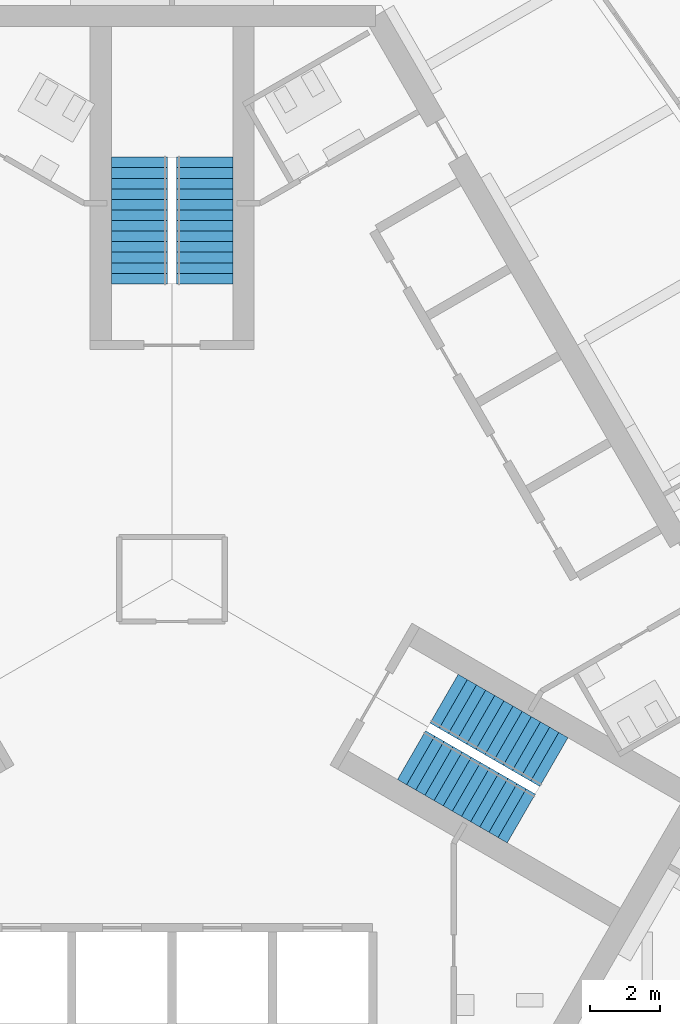
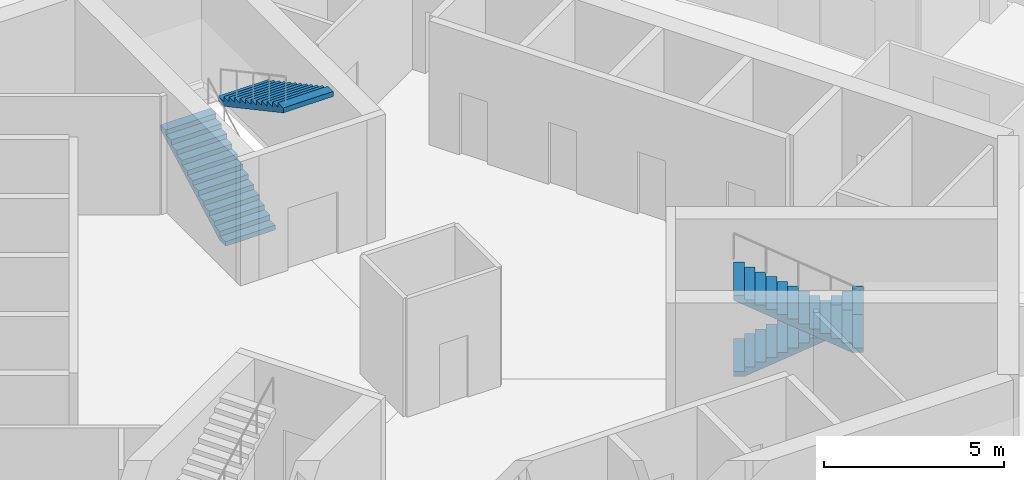
# One storey, part 11 of 16: 4 stair flights, 2 elements without a shape of their own.
"""IFC4 building model written with IfcOpenShell, lengths in metres."""

from ifc_helpers import new_model, si_unit, direction, frame, origin, place, context, subcontext, project, spatial, polyline, outline, extrude, material, type_object, element, aggregate, save


model = new_model("IFC4")

# Units and contexts
model_context = context("Model", 3, precision=1e-05, world=origin(), true_north=direction((0.0, 1.0)))
body_context = subcontext(model_context, "Body", "Model", "MODEL_VIEW")
ifc_project = project(units=[si_unit("LENGTHUNIT", "METRE"), si_unit("AREAUNIT", "SQUARE_METRE"), si_unit("VOLUMEUNIT", "CUBIC_METRE"), si_unit("PLANEANGLEUNIT", "RADIAN"), si_unit("MASSUNIT", "GRAM", prefix="KILO")], contexts=[model_context])

# Site, building, storey
site_placement = place(None, origin())
site = spatial("IfcSite", under=ifc_project, at=site_placement, CompositionType="ELEMENT")
building_placement = place(site_placement, origin())
building = spatial("IfcBuilding", under=site, at=building_placement, Name="Trefoil Bronze Tower", CompositionType="ELEMENT")
storey_placement = place(building_placement, frame((0.0, 0.0, 314.10009765625)))
storey = spatial("IfcBuildingStorey", under=building, at=storey_placement, Name="L72", CompositionType="ELEMENT", Elevation=314.10009765625)

# Stair, stair flights
ifc_material_1 = material(Name="Precast concrete B80", Category="concrete")
stair_type = type_object("IfcStairType", Name="Exit stair 26 risers", PredefinedType="HALF_TURN_STAIR", material=ifc_material_1)
stair_1_placement = place(storey_placement, origin())
stair_1 = element("IfcStair", 1, at=stair_1_placement, inside=storey, type_object=stair_type, Name="Stair ST1 L72", PredefinedType="HALF_TURN_STAIR")
ifc_material_2 = material(Name="Precast concrete B80", Category="concrete")
stair_flight_type = type_object("IfcStairFlightType", Name="Stair flight 1600", PredefinedType="STRAIGHT", material=ifc_material_2)
stair_flight_1_placement = place(storey_placement, frame((7.728515625, -3.39404296875, 0.0), z_axis=(0.0, 0.0, 1.0), x_axis=(0.866025403784, -0.5, 0.0)))
stair_flight_1 = element("IfcStairFlight", 2, at=stair_flight_1_placement, type_object=stair_flight_type, Name="ST1 flight 1", NumberOfRisers=13, NumberOfTreads=12, PredefinedType="STRAIGHT", RiserHeight=0.161538462, TreadLength=0.3, context=body_context, shape_type="SweptSolid", body=[
    extrude(outline(polyline([(0.0, 0.0), (0.0, 0.16162109375), (0.300048828125, 0.16162109375), (0.300048828125, 0.322998046875), (0.60009765625, 0.322998046875), (0.60009765625, 0.484619140625), (0.89990234375, 0.484619140625), (0.89990234375, 0.646240234375), (1.199951171875, 0.646240234375), (1.199951171875, 0.8076171875), (1.5, 0.8076171875), (1.5, 0.96923828125), (1.800048828125, 0.96923828125), (1.800048828125, 1.130859375), (2.10009765625, 1.130859375), (2.10009765625, 1.292236328125), (2.39990234375, 1.292236328125), (2.39990234375, 1.453857421875), (2.699951171875, 1.453857421875), (2.699951171875, 1.615478515625), (3.0, 1.615478515625), (3.0, 1.77685546875), (3.300048828125, 1.77685546875), (3.300048828125, 1.9384765625), (3.60009765625, 1.9384765625), (3.60009765625, 2.10009765625), (3.60009765625, 1.768310546875), (0.316162109375, 0.0), (0.0, 0.0)])), frame((0.0, 0.800048828125, 0.0), z_axis=(0.0, -1.0, 0.0), x_axis=(1.0, 0.0, 0.0)), (0.0, 0.0, 1.0), 1.60009765625),
])
stair_flight_2_placement = place(storey_placement, frame((9.921142578125, -6.796142578125, 2.099853515625), z_axis=(0.0, 0.0, 1.0), x_axis=(-0.866025403784, 0.5, 0.0)))
stair_flight_2 = element("IfcStairFlight", 3, at=stair_flight_2_placement, type_object=stair_flight_type, Name="ST1 flight 2", NumberOfRisers=13, NumberOfTreads=12, PredefinedType="STRAIGHT", RiserHeight=0.161538462, TreadLength=0.3, context=body_context, shape_type="SweptSolid", body=[
    extrude(outline(polyline([(0.0, 0.0), (0.0, 0.16162109375), (0.300048828125, 0.16162109375), (0.300048828125, 0.322998046875), (0.60009765625, 0.322998046875), (0.60009765625, 0.484619140625), (0.89990234375, 0.484619140625), (0.89990234375, 0.646240234375), (1.199951171875, 0.646240234375), (1.199951171875, 0.8076171875), (1.5, 0.8076171875), (1.5, 0.96923828125), (1.800048828125, 0.96923828125), (1.800048828125, 1.130859375), (2.10009765625, 1.130859375), (2.10009765625, 1.292236328125), (2.39990234375, 1.292236328125), (2.39990234375, 1.453857421875), (2.699951171875, 1.453857421875), (2.699951171875, 1.615478515625), (3.0, 1.615478515625), (3.0, 1.77685546875), (3.300048828125, 1.77685546875), (3.300048828125, 1.9384765625), (3.60009765625, 1.9384765625), (3.60009765625, 2.10009765625), (3.60009765625, 1.768310546875), (0.316162109375, 0.0), (0.0, 0.0)])), frame((0.0, 0.800048828125, 0.0), z_axis=(0.0, -1.0, 0.0), x_axis=(1.0, 0.0, 0.0)), (0.0, 0.0, 1.0), 1.60009765625),
])
aggregate(stair_1, [stair_flight_1, stair_flight_2])

stair_2_placement = place(storey_placement, origin())
stair_2 = element("IfcStair", 4, at=stair_2_placement, inside=storey, type_object=stair_type, Name="Stair ST2 L72", PredefinedType="HALF_TURN_STAIR")
stair_flight_3_placement = place(storey_placement, frame((-0.925048828125, 8.389892578125, 0.0), z_axis=(0.0, 0.0, 1.0), x_axis=(0.0, 1.0, 0.0)))
stair_flight_3 = element("IfcStairFlight", 5, at=stair_flight_3_placement, type_object=stair_flight_type, Name="ST2 flight 1", NumberOfRisers=13, NumberOfTreads=12, PredefinedType="STRAIGHT", RiserHeight=0.161538462, TreadLength=0.3, context=body_context, shape_type="SweptSolid", body=[
    extrude(outline(polyline([(0.0, 0.0), (0.0, 0.16162109375), (0.300048828125, 0.16162109375), (0.300048828125, 0.322998046875), (0.60009765625, 0.322998046875), (0.60009765625, 0.484619140625), (0.89990234375, 0.484619140625), (0.89990234375, 0.646240234375), (1.199951171875, 0.646240234375), (1.199951171875, 0.8076171875), (1.5, 0.8076171875), (1.5, 0.96923828125), (1.800048828125, 0.96923828125), (1.800048828125, 1.130859375), (2.10009765625, 1.130859375), (2.10009765625, 1.292236328125), (2.39990234375, 1.292236328125), (2.39990234375, 1.453857421875), (2.699951171875, 1.453857421875), (2.699951171875, 1.615478515625), (3.0, 1.615478515625), (3.0, 1.77685546875), (3.300048828125, 1.77685546875), (3.300048828125, 1.9384765625), (3.60009765625, 1.9384765625), (3.60009765625, 2.10009765625), (3.60009765625, 1.768310546875), (0.316162109375, 0.0), (0.0, 0.0)])), frame((0.0, 0.800048828125, 0.0), z_axis=(0.0, -1.0, 0.0), x_axis=(1.0, 0.0, 0.0)), (0.0, 0.0, 1.0), 1.60009765625),
])
stair_flight_4_placement = place(storey_placement, frame((0.925048828125, 11.989990234375, 2.099853515625), z_axis=(0.0, 0.0, 1.0), x_axis=(0.0, -1.0, 0.0)))
stair_flight_4 = element("IfcStairFlight", 6, at=stair_flight_4_placement, type_object=stair_flight_type, Name="ST2 flight 2", NumberOfRisers=13, NumberOfTreads=12, PredefinedType="STRAIGHT", RiserHeight=0.161538462, TreadLength=0.3, context=body_context, shape_type="SweptSolid", body=[
    extrude(outline(polyline([(0.0, 0.0), (0.0, 0.16162109375), (0.300048828125, 0.16162109375), (0.300048828125, 0.322998046875), (0.60009765625, 0.322998046875), (0.60009765625, 0.484619140625), (0.89990234375, 0.484619140625), (0.89990234375, 0.646240234375), (1.199951171875, 0.646240234375), (1.199951171875, 0.8076171875), (1.5, 0.8076171875), (1.5, 0.96923828125), (1.800048828125, 0.96923828125), (1.800048828125, 1.130859375), (2.10009765625, 1.130859375), (2.10009765625, 1.292236328125), (2.39990234375, 1.292236328125), (2.39990234375, 1.453857421875), (2.699951171875, 1.453857421875), (2.699951171875, 1.615478515625), (3.0, 1.615478515625), (3.0, 1.77685546875), (3.300048828125, 1.77685546875), (3.300048828125, 1.9384765625), (3.60009765625, 1.9384765625), (3.60009765625, 2.10009765625), (3.60009765625, 1.768310546875), (0.316162109375, 0.0), (0.0, 0.0)])), frame((0.0, 0.800048828125, 0.0), z_axis=(0.0, -1.0, 0.0), x_axis=(1.0, 0.0, 0.0)), (0.0, 0.0, 1.0), 1.60009765625),
])
aggregate(stair_2, [stair_flight_3, stair_flight_4])

save(model, "model.ifc")
